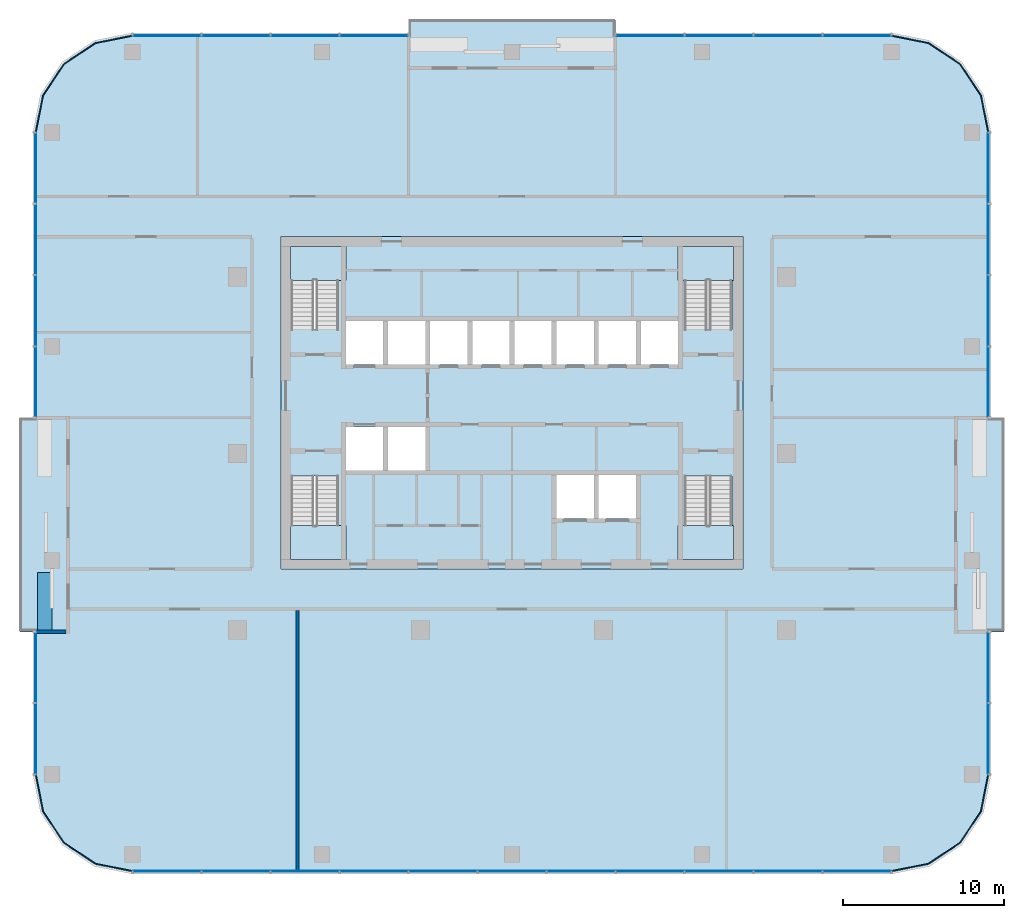
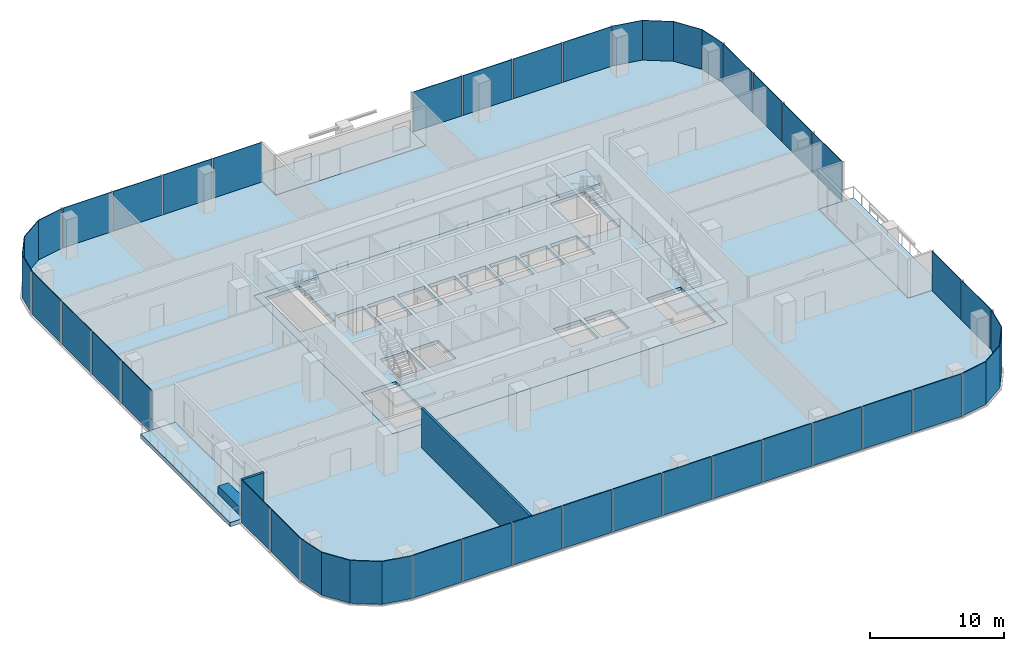
# One storey, part 6 of 13: 35 plates, 9 slabs, 3 walls, 15 elements without a shape of their own.
"""IFC4 building model written with IfcOpenShell, lengths in metres."""

from ifc_helpers import new_model, si_unit, direction, frame, frame_2d, origin, origin_2d, place, context, subcontext, project, spatial, polyline, rectangle, outline, extrude, material, layer, layer_set, type_object, element, aggregate, save


model = new_model("IFC4")

# Units and contexts
model_context = context("Model", 3, precision=1e-05, world=origin(), true_north=direction((0.0, 1.0)))
body_context = subcontext(model_context, "Body", "Model", "MODEL_VIEW")
ifc_project = project(units=[si_unit("LENGTHUNIT", "METRE"), si_unit("AREAUNIT", "SQUARE_METRE"), si_unit("VOLUMEUNIT", "CUBIC_METRE"), si_unit("PLANEANGLEUNIT", "RADIAN"), si_unit("MASSUNIT", "GRAM", prefix="KILO")], contexts=[model_context])

# Site, building, storey
site_placement = place(None, origin())
site = spatial("IfcSite", under=ifc_project, at=site_placement, CompositionType="ELEMENT")
building_placement = place(site_placement, origin())
building = spatial("IfcBuilding", under=site, at=building_placement, Name="Mopane Tessera Tower", CompositionType="ELEMENT")
storey_placement = place(building_placement, frame((0.0, 0.0, 275.39990234375)))
storey = spatial("IfcBuildingStorey", under=building, at=storey_placement, Name="L59", CompositionType="ELEMENT", Elevation=275.39990234375)

# Slab
ifc_material_1 = material(Name="Concrete C40/50", Category="concrete")
ifc_layer_1 = layer(ifc_material_1, 0.300048828125)
ifc_layer_set_1 = layer_set([ifc_layer_1], Name="Concrete C40/50")
slab_type_1 = type_object("IfcSlabType", Name="Core floor slab 300 mm", PredefinedType="FLOOR", material=ifc_layer_set_1)
slab_1_placement = place(storey_placement, frame((0.0, 0.0, -0.2998046875)))
element("IfcSlab", 1, at=slab_1_placement, inside=storey, type_object=slab_type_1, Name="L59 core floor slab", PredefinedType="FLOOR", context=body_context, shape_type="SweptSolid", body=[
    extrude(outline(polyline([(-14.39990234375, -7.199951171875), (14.39990234375, -7.199951171875), (14.39990234375, 13.5), (-14.39990234375, 13.5), (-14.39990234375, -7.199951171875)]), holes=[polyline([(-10.35009765625, -1.050048828125), (-8.02490234375, -1.050048828125), (-8.02490234375, 1.64990234375), (-10.35009765625, 1.64990234375), (-10.35009765625, -1.050048828125)]), polyline([(-7.72509765625, -1.050048828125), (-5.39990234375, -1.050048828125), (-5.39990234375, 1.64990234375), (-7.72509765625, 1.64990234375), (-7.72509765625, -1.050048828125)]), polyline([(-10.35009765625, 5.550048828125), (-8.02490234375, 5.550048828125), (-8.02490234375, 8.25), (-10.35009765625, 8.25), (-10.35009765625, 5.550048828125)]), polyline([(-7.72509765625, 5.550048828125), (-5.39990234375, 5.550048828125), (-5.39990234375, 8.25), (-7.72509765625, 8.25), (-7.72509765625, 5.550048828125)]), polyline([(-5.10009765625, 5.550048828125), (-2.77490234375, 5.550048828125), (-2.77490234375, 8.25), (-5.10009765625, 8.25), (-5.10009765625, 5.550048828125)]), polyline([(-2.47509765625, 5.550048828125), (-0.14990234375, 5.550048828125), (-0.14990234375, 8.25), (-2.47509765625, 8.25), (-2.47509765625, 5.550048828125)]), polyline([(0.14990234375, 5.550048828125), (2.47509765625, 5.550048828125), (2.47509765625, 8.25), (0.14990234375, 8.25), (0.14990234375, 5.550048828125)]), polyline([(2.77490234375, 5.550048828125), (5.10009765625, 5.550048828125), (5.10009765625, 8.25), (2.77490234375, 8.25), (2.77490234375, 5.550048828125)]), polyline([(5.39990234375, 5.550048828125), (7.72509765625, 5.550048828125), (7.72509765625, 8.25), (5.39990234375, 8.25), (5.39990234375, 5.550048828125)]), polyline([(8.02490234375, 5.550048828125), (10.35009765625, 5.550048828125), (10.35009765625, 8.25), (8.02490234375, 8.25), (8.02490234375, 5.550048828125)]), polyline([(2.77490234375, -4.050048828125), (5.10009765625, -4.050048828125), (5.10009765625, -1.35009765625), (2.77490234375, -1.35009765625), (2.77490234375, -4.050048828125)]), polyline([(5.39990234375, -4.050048828125), (7.72509765625, -4.050048828125), (7.72509765625, -1.35009765625), (5.39990234375, -1.35009765625), (5.39990234375, -4.050048828125)]), polyline([(-13.75, -1.405029296875), (-13.75, -6.60009765625), (-10.800048828125, -6.60009765625), (-10.800048828125, -1.405029296875), (-13.75, -1.405029296875)]), polyline([(-10.800048828125, 7.705078125), (-10.800048828125, 12.89990234375), (-13.75, 12.89990234375), (-13.75, 7.705078125), (-10.800048828125, 7.705078125)]), polyline([(10.75, -1.405029296875), (10.75, -6.60009765625), (13.699951171875, -6.60009765625), (13.699951171875, -1.405029296875), (10.75, -1.405029296875)]), polyline([(13.699951171875, 7.705078125), (13.699951171875, 12.89990234375), (10.75, 12.89990234375), (10.75, 7.705078125), (13.699951171875, 7.705078125)])]), origin(), (0.0, 0.0, 1.0), 0.2998046875),
])

# Stair, slab
ifc_material_2 = material(Name="Concrete C50/60", Category="concrete")
stair_type = type_object("IfcStairType", Name="Escape stair 1400 mm, riser 167 mm", PredefinedType="HALF_TURN_STAIR", material=ifc_material_2)
stair_1_placement = place(storey_placement, origin())
stair_1 = element("IfcStair", 2, at=stair_1_placement, inside=storey, type_object=stair_type, Name="L59 Escape stair south-west", PredefinedType="HALF_TURN_STAIR")
ifc_material_3 = material(Name="Concrete C50/60", Category="concrete")
ifc_layer_2 = layer(ifc_material_3, 0.199951171875)
ifc_layer_set_2 = layer_set([ifc_layer_2], Name="Concrete C50/60")
slab_type_2 = type_object("IfcSlabType", Name="Escape stair landing 200 mm", PredefinedType="LANDING", material=ifc_layer_set_2)
slab_2_placement = place(storey_placement, frame((0.0, 0.0, 1.800048828125)))
slab_2 = element("IfcSlab", 3, at=slab_2_placement, type_object=slab_type_2, Name="ST1 landing 1", PredefinedType="LANDING", context=body_context, shape_type="SweptSolid", body=[
    extrude(outline(polyline([(-13.800048828125, -4.47998046875), (-13.800048828125, -6.60009765625), (-10.35009765625, -6.60009765625), (-10.35009765625, -4.47998046875), (-13.800048828125, -4.47998046875)])), origin(), (0.0, 0.0, 1.0), 0.199951171875),
])
aggregate(stair_1, [slab_2])

stair_2_placement = place(storey_placement, origin())
stair_2 = element("IfcStair", 4, at=stair_2_placement, inside=storey, type_object=stair_type, Name="L59 Escape stair north-west", PredefinedType="HALF_TURN_STAIR")
slab_3_placement = place(storey_placement, frame((0.0, 0.0, 1.800048828125)))
slab_3 = element("IfcSlab", 5, at=slab_3_placement, type_object=slab_type_2, Name="ST2 landing 1", PredefinedType="LANDING", context=body_context, shape_type="SweptSolid", body=[
    extrude(outline(polyline([(-10.35009765625, 10.780029296875), (-10.35009765625, 12.89990234375), (-13.800048828125, 12.89990234375), (-13.800048828125, 10.780029296875), (-10.35009765625, 10.780029296875)])), origin(), (0.0, 0.0, 1.0), 0.199951171875),
])
aggregate(stair_2, [slab_3])

stair_3_placement = place(storey_placement, origin())
stair_3 = element("IfcStair", 6, at=stair_3_placement, inside=storey, type_object=stair_type, Name="L59 Escape stair south-east", PredefinedType="HALF_TURN_STAIR")
slab_4_placement = place(storey_placement, frame((0.0, 0.0, 1.800048828125)))
slab_4 = element("IfcSlab", 7, at=slab_4_placement, type_object=slab_type_2, Name="ST3 landing 1", PredefinedType="LANDING", context=body_context, shape_type="SweptSolid", body=[
    extrude(outline(polyline([(10.35009765625, -4.47998046875), (10.35009765625, -6.60009765625), (13.800048828125, -6.60009765625), (13.800048828125, -4.47998046875), (10.35009765625, -4.47998046875)])), origin(), (0.0, 0.0, 1.0), 0.199951171875),
])
aggregate(stair_3, [slab_4])

stair_4_placement = place(storey_placement, origin())
stair_4 = element("IfcStair", 8, at=stair_4_placement, inside=storey, type_object=stair_type, Name="L59 Escape stair north-east", PredefinedType="HALF_TURN_STAIR")
slab_5_placement = place(storey_placement, frame((0.0, 0.0, 1.800048828125)))
slab_5 = element("IfcSlab", 9, at=slab_5_placement, type_object=slab_type_2, Name="ST4 landing 1", PredefinedType="LANDING", context=body_context, shape_type="SweptSolid", body=[
    extrude(outline(polyline([(13.800048828125, 10.780029296875), (13.800048828125, 12.89990234375), (10.35009765625, 12.89990234375), (10.35009765625, 10.780029296875), (13.800048828125, 10.780029296875)])), origin(), (0.0, 0.0, 1.0), 0.199951171875),
])
aggregate(stair_4, [slab_5])

# Slabs
ifc_material_4 = material(Name="Concrete C40/50", Category="concrete")
ifc_layer_3 = layer(ifc_material_4, 0.39990234375)
ifc_layer_set_3 = layer_set([ifc_layer_3], Name="Concrete C40/50")
slab_type_3 = type_object("IfcSlabType", Name="Planted terrace slab 400 mm", PredefinedType="FLOOR", material=ifc_layer_set_3)
slab_6_placement = place(storey_placement, frame((0.0, 0.0, -0.39990234375)))
element("IfcSlab", 10, at=slab_6_placement, inside=storey, type_object=slab_type_3, Name="Terrace slab N1 L59", PredefinedType="FLOOR", context=body_context, shape_type="SweptSolid", body=[
    extrude(outline(polyline([(30.64990234375, 2.22216796875), (27.64990234375, 2.22216796875), (27.64990234375, -11.111083984375), (30.64990234375, -11.111083984375), (30.64990234375, 2.22216796875)])), origin(), (0.0, 0.0, 1.0), 0.39990234375),
])
slab_7_placement = place(storey_placement, frame((0.0, 0.0, -0.39990234375)))
element("IfcSlab", 11, at=slab_7_placement, inside=storey, type_object=slab_type_3, Name="Terrace slab N2 L59", PredefinedType="FLOOR", context=body_context, shape_type="SweptSolid", body=[
    extrude(outline(polyline([(-6.449951171875, 27.0), (-6.449951171875, 24.0), (6.449951171875, 24.0), (6.449951171875, 27.0), (-6.449951171875, 27.0)])), origin(), (0.0, 0.0, 1.0), 0.39990234375),
])
slab_8_placement = place(storey_placement, frame((0.0, 0.0, -0.39990234375)))
element("IfcSlab", 12, at=slab_8_placement, inside=storey, type_object=slab_type_3, Name="Terrace slab N3 L59", PredefinedType="FLOOR", context=body_context, shape_type="SweptSolid", body=[
    extrude(outline(polyline([(-30.64990234375, -11.111083984375), (-27.64990234375, -11.111083984375), (-27.64990234375, 2.22216796875), (-30.64990234375, 2.22216796875), (-30.64990234375, -11.111083984375)])), origin(), (0.0, 0.0, 1.0), 0.39990234375),
])
ifc_material_5 = material(Name="Concrete C40/50", Category="concrete")
ifc_layer_4 = layer(ifc_material_5, 0.39990234375)
ifc_layer_set_4 = layer_set([ifc_layer_4], Name="Concrete C40/50")
slab_type_4 = type_object("IfcSlabType", Name="Post-tensioned flat plate 400 mm", PredefinedType="FLOOR", material=ifc_layer_set_4)
slab_9_placement = place(storey_placement, frame((0.0, 0.0, -0.39990234375)))
element("IfcSlab", 13, at=slab_9_placement, inside=storey, type_object=slab_type_4, Name="Floor slab L59", PredefinedType="FLOOR", context=body_context, shape_type="SweptSolid", body=[
    extrude(outline(polyline([(29.64990234375, -20.0), (29.64990234375, -11.111083984375), (27.64990234375, -11.111083984375), (27.64990234375, 2.22216796875), (29.64990234375, 2.22216796875), (29.64990234375, 20.0), (29.193359375, 22.296142578125), (27.892578125, 24.24267578125), (25.946044921875, 25.543212890625), (23.64990234375, 26.0), (6.449951171875, 26.0), (6.449951171875, 24.0), (-6.449951171875, 24.0), (-6.449951171875, 26.0), (-23.64990234375, 26.0), (-25.946044921875, 25.543212890625), (-27.892578125, 24.24267578125), (-29.193359375, 22.296142578125), (-29.64990234375, 20.0), (-29.64990234375, 2.22216796875), (-27.64990234375, 2.22216796875), (-27.64990234375, -11.111083984375), (-29.64990234375, -11.111083984375), (-29.64990234375, -20.0), (-29.193359375, -22.296142578125), (-27.892578125, -24.24267578125), (-25.946044921875, -25.543212890625), (-23.64990234375, -26.0), (23.64990234375, -26.0), (25.946044921875, -25.543212890625), (27.892578125, -24.24267578125), (29.193359375, -22.296142578125), (29.64990234375, -20.0)]), holes=[polyline([(14.39990234375, -7.199951171875), (-14.39990234375, -7.199951171875), (-14.39990234375, 13.5), (14.39990234375, 13.5), (14.39990234375, -7.199951171875)])]), origin(), (0.0, 0.0, 1.0), 0.39990234375),
])

# Curtain wall, plates
ifc_material_6 = material(Name="Aluminium frame", Category="aluminium")
curtain_wall_type = type_object("IfcCurtainWallType", Name="Unitised curtain wall", PredefinedType="NOTDEFINED", material=ifc_material_6)
curtain_wall_1_placement = place(storey_placement, origin())
curtain_wall_1 = element("IfcCurtainWall", 14, at=curtain_wall_1_placement, inside=storey, type_object=curtain_wall_type, Name="e:cw:L59:S:0", PredefinedType="NOTDEFINED")
ifc_material_7 = material(Name="Clear laminated glass", Category="glass")
ifc_layer_5 = layer(ifc_material_7, 0.06005859375)
ifc_layer_set_5 = layer_set([ifc_layer_5], Name="Clear laminated glass")
plate_type = type_object("IfcPlateType", Name="Unitised glazed unit", PredefinedType="CURTAIN_PANEL", material=ifc_layer_set_5)
plate_1_placement = place(storey_placement, frame((-21.5, -26.030029296875, -0.27978515625), z_axis=(0.0, 0.0, 1.0), x_axis=(1.0, 0.0, 0.0)))
plate_1 = element("IfcPlate", 15, at=plate_1_placement, type_object=plate_type, Name="e:cw:L59:S:0:pn0", PredefinedType="CURTAIN_PANEL", context=body_context, shape_type="SweptSolid", body=[
    extrude(rectangle(XDim=4.199951171875, YDim=0.06005859375, at=origin_2d()), origin(), (0.0, 0.0, 1.0), 3.8798828125),
])
plate_2_placement = place(storey_placement, frame((-17.199951171875, -26.030029296875, -0.27978515625), z_axis=(0.0, 0.0, 1.0), x_axis=(1.0, 0.0, 0.0)))
plate_2 = element("IfcPlate", 16, at=plate_2_placement, type_object=plate_type, Name="e:cw:L59:S:0:pn1", PredefinedType="CURTAIN_PANEL", context=body_context, shape_type="SweptSolid", body=[
    extrude(rectangle(XDim=4.199951171875, YDim=0.06005859375, at=origin_2d()), origin(), (0.0, 0.0, 1.0), 3.8798828125),
])
plate_3_placement = place(storey_placement, frame((-12.89990234375, -26.030029296875, -0.27978515625), z_axis=(0.0, 0.0, 1.0), x_axis=(1.0, 0.0, 0.0)))
plate_3 = element("IfcPlate", 17, at=plate_3_placement, type_object=plate_type, Name="e:cw:L59:S:0:pn2", PredefinedType="CURTAIN_PANEL", context=body_context, shape_type="SweptSolid", body=[
    extrude(rectangle(XDim=4.199951171875, YDim=0.06005859375, at=origin_2d()), origin(), (0.0, 0.0, 1.0), 3.8798828125),
])
plate_4_placement = place(storey_placement, frame((-8.60009765625, -26.030029296875, -0.27978515625), z_axis=(0.0, 0.0, 1.0), x_axis=(1.0, 0.0, 0.0)))
plate_4 = element("IfcPlate", 18, at=plate_4_placement, type_object=plate_type, Name="e:cw:L59:S:0:pn3", PredefinedType="CURTAIN_PANEL", context=body_context, shape_type="SweptSolid", body=[
    extrude(rectangle(XDim=4.199951171875, YDim=0.06005859375, at=origin_2d()), origin(), (0.0, 0.0, 1.0), 3.8798828125),
])
plate_5_placement = place(storey_placement, frame((-4.300048828125, -26.030029296875, -0.27978515625), z_axis=(0.0, 0.0, 1.0), x_axis=(1.0, 0.0, 0.0)))
plate_5 = element("IfcPlate", 19, at=plate_5_placement, type_object=plate_type, Name="e:cw:L59:S:0:pn4", PredefinedType="CURTAIN_PANEL", context=body_context, shape_type="SweptSolid", body=[
    extrude(rectangle(XDim=4.199951171875, YDim=0.06005859375, at=origin_2d()), origin(), (0.0, 0.0, 1.0), 3.8798828125),
])
plate_6_placement = place(storey_placement, frame((0.0, -26.030029296875, -0.27978515625), z_axis=(0.0, 0.0, 1.0), x_axis=(1.0, 0.0, 0.0)))
plate_6 = element("IfcPlate", 20, at=plate_6_placement, type_object=plate_type, Name="e:cw:L59:S:0:pn5", PredefinedType="CURTAIN_PANEL", context=body_context, shape_type="SweptSolid", body=[
    extrude(rectangle(XDim=4.199951171875, YDim=0.06005859375, at=origin_2d()), origin(), (0.0, 0.0, 1.0), 3.8798828125),
])
plate_7_placement = place(storey_placement, frame((4.300048828125, -26.030029296875, -0.27978515625), z_axis=(0.0, 0.0, 1.0), x_axis=(1.0, 0.0, 0.0)))
plate_7 = element("IfcPlate", 21, at=plate_7_placement, type_object=plate_type, Name="e:cw:L59:S:0:pn6", PredefinedType="CURTAIN_PANEL", context=body_context, shape_type="SweptSolid", body=[
    extrude(rectangle(XDim=4.199951171875, YDim=0.06005859375, at=origin_2d()), origin(), (0.0, 0.0, 1.0), 3.8798828125),
])
plate_8_placement = place(storey_placement, frame((8.60009765625, -26.030029296875, -0.27978515625), z_axis=(0.0, 0.0, 1.0), x_axis=(1.0, 0.0, 0.0)))
plate_8 = element("IfcPlate", 22, at=plate_8_placement, type_object=plate_type, Name="e:cw:L59:S:0:pn7", PredefinedType="CURTAIN_PANEL", context=body_context, shape_type="SweptSolid", body=[
    extrude(rectangle(XDim=4.199951171875, YDim=0.06005859375, at=origin_2d()), origin(), (0.0, 0.0, 1.0), 3.8798828125),
])
plate_9_placement = place(storey_placement, frame((12.89990234375, -26.030029296875, -0.27978515625), z_axis=(0.0, 0.0, 1.0), x_axis=(1.0, 0.0, 0.0)))
plate_9 = element("IfcPlate", 23, at=plate_9_placement, type_object=plate_type, Name="e:cw:L59:S:0:pn8", PredefinedType="CURTAIN_PANEL", context=body_context, shape_type="SweptSolid", body=[
    extrude(rectangle(XDim=4.199951171875, YDim=0.06005859375, at=origin_2d()), origin(), (0.0, 0.0, 1.0), 3.8798828125),
])
plate_10_placement = place(storey_placement, frame((17.199951171875, -26.030029296875, -0.27978515625), z_axis=(0.0, 0.0, 1.0), x_axis=(1.0, 0.0, 0.0)))
plate_10 = element("IfcPlate", 24, at=plate_10_placement, type_object=plate_type, Name="e:cw:L59:S:0:pn9", PredefinedType="CURTAIN_PANEL", context=body_context, shape_type="SweptSolid", body=[
    extrude(rectangle(XDim=4.199951171875, YDim=0.06005859375, at=origin_2d()), origin(), (0.0, 0.0, 1.0), 3.8798828125),
])
plate_11_placement = place(storey_placement, frame((21.5, -26.030029296875, -0.27978515625), z_axis=(0.0, 0.0, 1.0), x_axis=(1.0, 0.0, 0.0)))
plate_11 = element("IfcPlate", 25, at=plate_11_placement, type_object=plate_type, Name="e:cw:L59:S:0:pn10", PredefinedType="CURTAIN_PANEL", context=body_context, shape_type="SweptSolid", body=[
    extrude(rectangle(XDim=4.199951171875, YDim=0.06005859375, at=origin_2d()), origin(), (0.0, 0.0, 1.0), 3.8798828125),
])
aggregate(curtain_wall_1, [plate_1, plate_2, plate_3, plate_4, plate_5, plate_6, plate_7, plate_8, plate_9, plate_10, plate_11])

# Curtain wall, plate
curtain_wall_2_placement = place(storey_placement, origin())
curtain_wall_2 = element("IfcCurtainWall", 26, at=curtain_wall_2_placement, inside=storey, type_object=curtain_wall_type, Name="e:cw:L59:CS", PredefinedType="NOTDEFINED")
plate_12_placement = place(storey_placement, frame((0.0, 0.0, -0.27978515625)))
plate_12 = element("IfcPlate", 27, at=plate_12_placement, type_object=plate_type, Name="e:cw:L59:CS:pn", PredefinedType="CURTAIN_PANEL", context=body_context, shape_type="SweptSolid", body=[
    extrude(outline(polyline([(23.64990234375, -26.0), (25.946044921875, -25.543212890625), (27.892578125, -24.24267578125), (29.193359375, -22.296142578125), (29.64990234375, -20.0), (29.7099609375, -20.0), (29.248779296875, -22.319091796875), (27.93505859375, -24.28515625), (25.968994140625, -25.5986328125), (23.64990234375, -26.06005859375), (23.64990234375, -26.0)])), origin(), (0.0, 0.0, 1.0), 3.8798828125),
])
aggregate(curtain_wall_2, [plate_12])

# Curtain wall, plates
curtain_wall_3_placement = place(storey_placement, origin())
curtain_wall_3 = element("IfcCurtainWall", 28, at=curtain_wall_3_placement, inside=storey, type_object=curtain_wall_type, Name="e:cw:L59:E:0", PredefinedType="NOTDEFINED")
plate_13_placement = place(storey_placement, frame((29.679931640625, -17.77783203125, -0.27978515625), z_axis=(0.0, 0.0, 1.0), x_axis=(0.0, 1.0, 0.0)))
plate_13 = element("IfcPlate", 29, at=plate_13_placement, type_object=plate_type, Name="e:cw:L59:E:0:pn0", PredefinedType="CURTAIN_PANEL", context=body_context, shape_type="SweptSolid", body=[
    extrude(rectangle(XDim=4.344482421875, YDim=0.06005859375, at=origin_2d()), origin(), (0.0, 0.0, 1.0), 3.8798828125),
])
plate_14_placement = place(storey_placement, frame((29.679931640625, -13.333251953125, -0.27978515625), z_axis=(0.0, 0.0, 1.0), x_axis=(0.0, 1.0, 0.0)))
plate_14 = element("IfcPlate", 30, at=plate_14_placement, type_object=plate_type, Name="e:cw:L59:E:0:pn1", PredefinedType="CURTAIN_PANEL", context=body_context, shape_type="SweptSolid", body=[
    extrude(rectangle(XDim=4.344482421875, YDim=0.06005859375, at=origin_2d()), origin(), (0.0, 0.0, 1.0), 3.8798828125),
])
aggregate(curtain_wall_3, [plate_13, plate_14])

curtain_wall_4_placement = place(storey_placement, origin())
curtain_wall_4 = element("IfcCurtainWall", 31, at=curtain_wall_4_placement, inside=storey, type_object=curtain_wall_type, Name="e:cw:L59:E:5", PredefinedType="NOTDEFINED")
plate_15_placement = place(storey_placement, frame((29.679931640625, 4.4443359375, -0.27978515625), z_axis=(0.0, 0.0, 1.0), x_axis=(0.0, 1.0, 0.0)))
plate_15 = element("IfcPlate", 32, at=plate_15_placement, type_object=plate_type, Name="e:cw:L59:E:5:pn5", PredefinedType="CURTAIN_PANEL", context=body_context, shape_type="SweptSolid", body=[
    extrude(rectangle(XDim=4.344482421875, YDim=0.06005859375, at=origin_2d()), origin(), (0.0, 0.0, 1.0), 3.8798828125),
])
plate_16_placement = place(storey_placement, frame((29.679931640625, 8.888916015625, -0.27978515625), z_axis=(0.0, 0.0, 1.0), x_axis=(0.0, 1.0, 0.0)))
plate_16 = element("IfcPlate", 33, at=plate_16_placement, type_object=plate_type, Name="e:cw:L59:E:5:pn6", PredefinedType="CURTAIN_PANEL", context=body_context, shape_type="SweptSolid", body=[
    extrude(rectangle(XDim=4.344482421875, YDim=0.06005859375, at=origin_2d()), origin(), (0.0, 0.0, 1.0), 3.8798828125),
])
plate_17_placement = place(storey_placement, frame((29.679931640625, 13.333251953125, -0.27978515625), z_axis=(0.0, 0.0, 1.0), x_axis=(0.0, 1.0, 0.0)))
plate_17 = element("IfcPlate", 34, at=plate_17_placement, type_object=plate_type, Name="e:cw:L59:E:5:pn7", PredefinedType="CURTAIN_PANEL", context=body_context, shape_type="SweptSolid", body=[
    extrude(rectangle(XDim=4.344482421875, YDim=0.06005859375, at=origin_2d()), origin(), (0.0, 0.0, 1.0), 3.8798828125),
])
plate_18_placement = place(storey_placement, frame((29.679931640625, 17.77783203125, -0.27978515625), z_axis=(0.0, 0.0, 1.0), x_axis=(0.0, 1.0, 0.0)))
plate_18 = element("IfcPlate", 35, at=plate_18_placement, type_object=plate_type, Name="e:cw:L59:E:5:pn8", PredefinedType="CURTAIN_PANEL", context=body_context, shape_type="SweptSolid", body=[
    extrude(rectangle(XDim=4.344482421875, YDim=0.06005859375, at=origin_2d()), origin(), (0.0, 0.0, 1.0), 3.8798828125),
])
aggregate(curtain_wall_4, [plate_15, plate_16, plate_17, plate_18])

# Curtain wall, plate
curtain_wall_5_placement = place(storey_placement, origin())
curtain_wall_5 = element("IfcCurtainWall", 36, at=curtain_wall_5_placement, inside=storey, type_object=curtain_wall_type, Name="e:cw:L59:CE", PredefinedType="NOTDEFINED")
plate_19_placement = place(storey_placement, frame((0.0, 0.0, -0.27978515625)))
plate_19 = element("IfcPlate", 37, at=plate_19_placement, type_object=plate_type, Name="e:cw:L59:CE:pn", PredefinedType="CURTAIN_PANEL", context=body_context, shape_type="SweptSolid", body=[
    extrude(outline(polyline([(29.64990234375, 20.0), (29.193359375, 22.296142578125), (27.892578125, 24.24267578125), (25.946044921875, 25.543212890625), (23.64990234375, 26.0), (23.64990234375, 26.06005859375), (25.968994140625, 25.5986328125), (27.93505859375, 24.28515625), (29.248779296875, 22.319091796875), (29.7099609375, 20.0), (29.64990234375, 20.0)])), origin(), (0.0, 0.0, 1.0), 3.8798828125),
])
aggregate(curtain_wall_5, [plate_19])

# Curtain wall, plates
curtain_wall_6_placement = place(storey_placement, origin())
curtain_wall_6 = element("IfcCurtainWall", 38, at=curtain_wall_6_placement, inside=storey, type_object=curtain_wall_type, Name="e:cw:L59:N:0", PredefinedType="NOTDEFINED")
plate_20_placement = place(storey_placement, frame((21.5, 26.030029296875, -0.27978515625), z_axis=(0.0, 0.0, 1.0), x_axis=(-1.0, 0.0, 0.0)))
plate_20 = element("IfcPlate", 39, at=plate_20_placement, type_object=plate_type, Name="e:cw:L59:N:0:pn0", PredefinedType="CURTAIN_PANEL", context=body_context, shape_type="SweptSolid", body=[
    extrude(rectangle(XDim=4.199951171875, YDim=0.06005859375, at=origin_2d()), origin(), (0.0, 0.0, 1.0), 3.8798828125),
])
plate_21_placement = place(storey_placement, frame((17.199951171875, 26.030029296875, -0.27978515625), z_axis=(0.0, 0.0, 1.0), x_axis=(-1.0, 0.0, 0.0)))
plate_21 = element("IfcPlate", 40, at=plate_21_placement, type_object=plate_type, Name="e:cw:L59:N:0:pn1", PredefinedType="CURTAIN_PANEL", context=body_context, shape_type="SweptSolid", body=[
    extrude(rectangle(XDim=4.199951171875, YDim=0.06005859375, at=origin_2d()), origin(), (0.0, 0.0, 1.0), 3.8798828125),
])
plate_22_placement = place(storey_placement, frame((12.89990234375, 26.030029296875, -0.27978515625), z_axis=(0.0, 0.0, 1.0), x_axis=(-1.0, 0.0, 0.0)))
plate_22 = element("IfcPlate", 41, at=plate_22_placement, type_object=plate_type, Name="e:cw:L59:N:0:pn2", PredefinedType="CURTAIN_PANEL", context=body_context, shape_type="SweptSolid", body=[
    extrude(rectangle(XDim=4.199951171875, YDim=0.06005859375, at=origin_2d()), origin(), (0.0, 0.0, 1.0), 3.8798828125),
])
plate_23_placement = place(storey_placement, frame((8.60009765625, 26.030029296875, -0.27978515625), z_axis=(0.0, 0.0, 1.0), x_axis=(-1.0, 0.0, 0.0)))
plate_23 = element("IfcPlate", 42, at=plate_23_placement, type_object=plate_type, Name="e:cw:L59:N:0:pn3", PredefinedType="CURTAIN_PANEL", context=body_context, shape_type="SweptSolid", body=[
    extrude(rectangle(XDim=4.199951171875, YDim=0.06005859375, at=origin_2d()), origin(), (0.0, 0.0, 1.0), 3.8798828125),
])
aggregate(curtain_wall_6, [plate_20, plate_21, plate_22, plate_23])

curtain_wall_7_placement = place(storey_placement, origin())
curtain_wall_7 = element("IfcCurtainWall", 43, at=curtain_wall_7_placement, inside=storey, type_object=curtain_wall_type, Name="e:cw:L59:N:7", PredefinedType="NOTDEFINED")
plate_24_placement = place(storey_placement, frame((-8.60009765625, 26.030029296875, -0.27978515625), z_axis=(0.0, 0.0, 1.0), x_axis=(-1.0, 0.0, 0.0)))
plate_24 = element("IfcPlate", 44, at=plate_24_placement, type_object=plate_type, Name="e:cw:L59:N:7:pn7", PredefinedType="CURTAIN_PANEL", context=body_context, shape_type="SweptSolid", body=[
    extrude(rectangle(XDim=4.199951171875, YDim=0.06005859375, at=origin_2d()), origin(), (0.0, 0.0, 1.0), 3.8798828125),
])
plate_25_placement = place(storey_placement, frame((-12.89990234375, 26.030029296875, -0.27978515625), z_axis=(0.0, 0.0, 1.0), x_axis=(-1.0, 0.0, 0.0)))
plate_25 = element("IfcPlate", 45, at=plate_25_placement, type_object=plate_type, Name="e:cw:L59:N:7:pn8", PredefinedType="CURTAIN_PANEL", context=body_context, shape_type="SweptSolid", body=[
    extrude(rectangle(XDim=4.199951171875, YDim=0.06005859375, at=origin_2d()), origin(), (0.0, 0.0, 1.0), 3.8798828125),
])
plate_26_placement = place(storey_placement, frame((-17.199951171875, 26.030029296875, -0.27978515625), z_axis=(0.0, 0.0, 1.0), x_axis=(-1.0, 0.0, 0.0)))
plate_26 = element("IfcPlate", 46, at=plate_26_placement, type_object=plate_type, Name="e:cw:L59:N:7:pn9", PredefinedType="CURTAIN_PANEL", context=body_context, shape_type="SweptSolid", body=[
    extrude(rectangle(XDim=4.199951171875, YDim=0.06005859375, at=origin_2d()), origin(), (0.0, 0.0, 1.0), 3.8798828125),
])
plate_27_placement = place(storey_placement, frame((-21.5, 26.030029296875, -0.27978515625), z_axis=(0.0, 0.0, 1.0), x_axis=(-1.0, 0.0, 0.0)))
plate_27 = element("IfcPlate", 47, at=plate_27_placement, type_object=plate_type, Name="e:cw:L59:N:7:pn10", PredefinedType="CURTAIN_PANEL", context=body_context, shape_type="SweptSolid", body=[
    extrude(rectangle(XDim=4.199951171875, YDim=0.06005859375, at=origin_2d()), origin(), (0.0, 0.0, 1.0), 3.8798828125),
])
aggregate(curtain_wall_7, [plate_24, plate_25, plate_26, plate_27])

# Curtain wall, plate
curtain_wall_8_placement = place(storey_placement, origin())
curtain_wall_8 = element("IfcCurtainWall", 48, at=curtain_wall_8_placement, inside=storey, type_object=curtain_wall_type, Name="e:cw:L59:CN", PredefinedType="NOTDEFINED")
plate_28_placement = place(storey_placement, frame((0.0, 0.0, -0.27978515625)))
plate_28 = element("IfcPlate", 49, at=plate_28_placement, type_object=plate_type, Name="e:cw:L59:CN:pn", PredefinedType="CURTAIN_PANEL", context=body_context, shape_type="SweptSolid", body=[
    extrude(outline(polyline([(-23.64990234375, 26.0), (-25.946044921875, 25.543212890625), (-27.892578125, 24.24267578125), (-29.193359375, 22.296142578125), (-29.64990234375, 20.0), (-29.7099609375, 20.0), (-29.248779296875, 22.319091796875), (-27.93505859375, 24.28515625), (-25.968994140625, 25.5986328125), (-23.64990234375, 26.06005859375), (-23.64990234375, 26.0)])), origin(), (0.0, 0.0, 1.0), 3.8798828125),
])
aggregate(curtain_wall_8, [plate_28])

# Curtain wall, plates
curtain_wall_9_placement = place(storey_placement, origin())
curtain_wall_9 = element("IfcCurtainWall", 50, at=curtain_wall_9_placement, inside=storey, type_object=curtain_wall_type, Name="e:cw:L59:W:0", PredefinedType="NOTDEFINED")
plate_29_placement = place(storey_placement, frame((-29.679931640625, 17.77783203125, -0.27978515625), z_axis=(0.0, 0.0, 1.0), x_axis=(0.0, -1.0, 0.0)))
plate_29 = element("IfcPlate", 51, at=plate_29_placement, type_object=plate_type, Name="e:cw:L59:W:0:pn0", PredefinedType="CURTAIN_PANEL", context=body_context, shape_type="SweptSolid", body=[
    extrude(rectangle(XDim=4.344482421875, YDim=0.06005859375, at=origin_2d()), origin(), (0.0, 0.0, 1.0), 3.8798828125),
])
plate_30_placement = place(storey_placement, frame((-29.679931640625, 13.333251953125, -0.27978515625), z_axis=(0.0, 0.0, 1.0), x_axis=(0.0, -1.0, 0.0)))
plate_30 = element("IfcPlate", 52, at=plate_30_placement, type_object=plate_type, Name="e:cw:L59:W:0:pn1", PredefinedType="CURTAIN_PANEL", context=body_context, shape_type="SweptSolid", body=[
    extrude(rectangle(XDim=4.344482421875, YDim=0.06005859375, at=origin_2d()), origin(), (0.0, 0.0, 1.0), 3.8798828125),
])
plate_31_placement = place(storey_placement, frame((-29.679931640625, 8.888916015625, -0.27978515625), z_axis=(0.0, 0.0, 1.0), x_axis=(0.0, -1.0, 0.0)))
plate_31 = element("IfcPlate", 53, at=plate_31_placement, type_object=plate_type, Name="e:cw:L59:W:0:pn2", PredefinedType="CURTAIN_PANEL", context=body_context, shape_type="SweptSolid", body=[
    extrude(rectangle(XDim=4.344482421875, YDim=0.06005859375, at=origin_2d()), origin(), (0.0, 0.0, 1.0), 3.8798828125),
])
plate_32_placement = place(storey_placement, frame((-29.679931640625, 4.4443359375, -0.27978515625), z_axis=(0.0, 0.0, 1.0), x_axis=(0.0, -1.0, 0.0)))
plate_32 = element("IfcPlate", 54, at=plate_32_placement, type_object=plate_type, Name="e:cw:L59:W:0:pn3", PredefinedType="CURTAIN_PANEL", context=body_context, shape_type="SweptSolid", body=[
    extrude(rectangle(XDim=4.344482421875, YDim=0.06005859375, at=origin_2d()), origin(), (0.0, 0.0, 1.0), 3.8798828125),
])
aggregate(curtain_wall_9, [plate_29, plate_30, plate_31, plate_32])

curtain_wall_10_placement = place(storey_placement, origin())
curtain_wall_10 = element("IfcCurtainWall", 55, at=curtain_wall_10_placement, inside=storey, type_object=curtain_wall_type, Name="e:cw:L59:W:7", PredefinedType="NOTDEFINED")
plate_33_placement = place(storey_placement, frame((-29.679931640625, -13.333251953125, -0.27978515625), z_axis=(0.0, 0.0, 1.0), x_axis=(0.0, -1.0, 0.0)))
plate_33 = element("IfcPlate", 56, at=plate_33_placement, type_object=plate_type, Name="e:cw:L59:W:7:pn7", PredefinedType="CURTAIN_PANEL", context=body_context, shape_type="SweptSolid", body=[
    extrude(rectangle(XDim=4.344482421875, YDim=0.06005859375, at=origin_2d()), origin(), (0.0, 0.0, 1.0), 3.8798828125),
])
plate_34_placement = place(storey_placement, frame((-29.679931640625, -17.77783203125, -0.27978515625), z_axis=(0.0, 0.0, 1.0), x_axis=(0.0, -1.0, 0.0)))
plate_34 = element("IfcPlate", 57, at=plate_34_placement, type_object=plate_type, Name="e:cw:L59:W:7:pn8", PredefinedType="CURTAIN_PANEL", context=body_context, shape_type="SweptSolid", body=[
    extrude(rectangle(XDim=4.344482421875, YDim=0.06005859375, at=origin_2d()), origin(), (0.0, 0.0, 1.0), 3.8798828125),
])
aggregate(curtain_wall_10, [plate_33, plate_34])

# Curtain wall, plate
curtain_wall_11_placement = place(storey_placement, origin())
curtain_wall_11 = element("IfcCurtainWall", 58, at=curtain_wall_11_placement, inside=storey, type_object=curtain_wall_type, Name="e:cw:L59:CW", PredefinedType="NOTDEFINED")
plate_35_placement = place(storey_placement, frame((0.0, 0.0, -0.27978515625)))
plate_35 = element("IfcPlate", 59, at=plate_35_placement, type_object=plate_type, Name="e:cw:L59:CW:pn", PredefinedType="CURTAIN_PANEL", context=body_context, shape_type="SweptSolid", body=[
    extrude(outline(polyline([(-29.64990234375, -20.0), (-29.193359375, -22.296142578125), (-27.892578125, -24.24267578125), (-25.946044921875, -25.543212890625), (-23.64990234375, -26.0), (-23.64990234375, -26.06005859375), (-25.968994140625, -25.5986328125), (-27.93505859375, -24.28515625), (-29.248779296875, -22.319091796875), (-29.7099609375, -20.0), (-29.64990234375, -20.0)])), origin(), (0.0, 0.0, 1.0), 3.8798828125),
])
aggregate(curtain_wall_11, [plate_35])

# Walls
ifc_material_8 = material(Name="Gypsum board on staggered steel studs, double layer each face, acoustic mineral wool infill", Category="steel")
ifc_layer_6 = layer(ifc_material_8, 0.175048828125)
ifc_layer_set_6 = layer_set([ifc_layer_6], Name="Gypsum board on staggered steel studs, double layer each face, acoustic mineral wool infill")
wall_type_1 = type_object("IfcWallType", Name="Gypsum board acoustic partition 175, rated EI 60", PredefinedType="PARTITIONING", material=ifc_layer_set_6)
wall_1_placement = place(storey_placement, frame((-13.364990234375, -25.949951171875, 0.0), z_axis=(0.0, 0.0, 1.0), x_axis=(0.0, 1.0, 0.0)))
element("IfcWall", 60, at=wall_1_placement, inside=storey, type_object=wall_type_1, Name="Partition L59:012", PredefinedType="PARTITIONING", context=body_context, shape_type="SweptSolid", body=[
    extrude(rectangle(XDim=16.14990234375, YDim=0.175048828125, at=frame_2d((8.074951171875, 0.0))), origin(), (0.0, 0.0, 1.0), 3.60009765625),
])
ifc_material_9 = material(Name="Reinforced concrete C32/40 with waterproofing", Category="concrete")
ifc_layer_7 = layer(ifc_material_9, 0.89990234375)
ifc_layer_set_7 = layer_set([ifc_layer_7], Name="Reinforced concrete C32/40 with waterproofing")
wall_type_2 = type_object("IfcWallType", Name="Planter trough 3600 x 900", PredefinedType="STANDARD", material=ifc_layer_set_7)
wall_2_placement = place(storey_placement, frame((-29.10009765625, -7.4111328125, 0.0), z_axis=(0.0, 0.0, 1.0), x_axis=(0.0, -1.0, 0.0)))
element("IfcWall", 61, at=wall_2_placement, inside=storey, type_object=wall_type_2, Name="e:nw:L59:N3:pl1", PredefinedType="STANDARD", context=body_context, shape_type="SweptSolid", body=[
    extrude(rectangle(XDim=3.60009765625, YDim=0.89990234375, at=frame_2d((1.800048828125, 0.0))), origin(), (0.0, 0.0, 1.0), 0.7001953125),
])
ifc_material_10 = material(Name="Blockwork with glazed tile facing", Category="masonry")
ifc_layer_8 = layer(ifc_material_10, 0.199951171875)
ifc_layer_set_8 = layer_set([ifc_layer_8], Name="Blockwork with glazed tile facing")
wall_type_3 = type_object("IfcWallType", Name="Terrace cheek wall 200", PredefinedType="STANDARD", material=ifc_layer_set_8)
wall_3_placement = place(storey_placement, frame((-29.64990234375, -11.111083984375, 0.0), z_axis=(0.0, 0.0, 1.0), x_axis=(1.0, 0.0, 0.0)))
element("IfcWall", 62, at=wall_3_placement, inside=storey, type_object=wall_type_3, Name="e:nw:L59:N3:cheekb", PredefinedType="STANDARD", context=body_context, shape_type="SweptSolid", body=[
    extrude(rectangle(XDim=1.875, YDim=0.199951171875, at=frame_2d((0.9375, 0.0))), origin(), (0.0, 0.0, 1.0), 3.60009765625),
])

save(model, "model.ifc")
